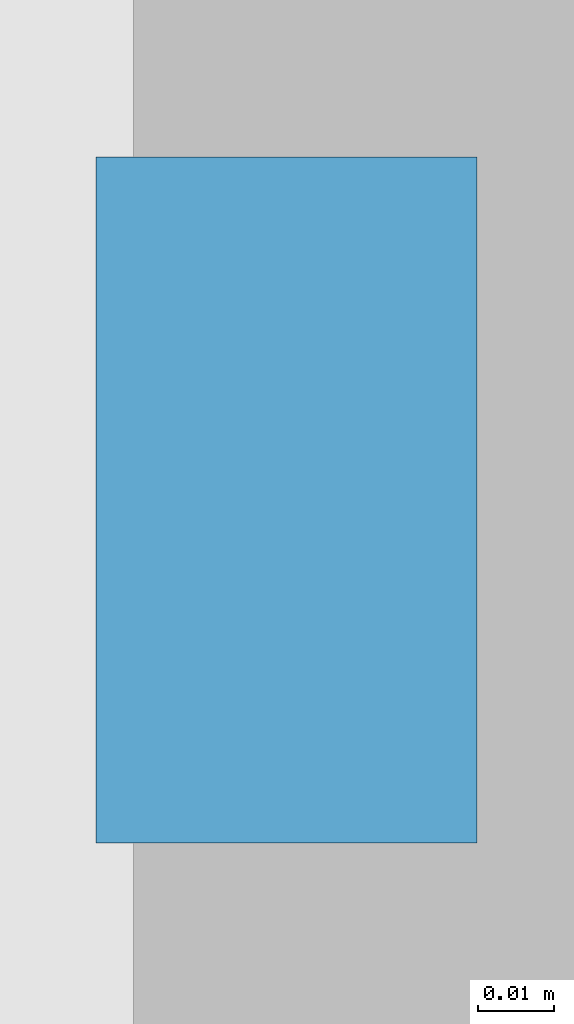
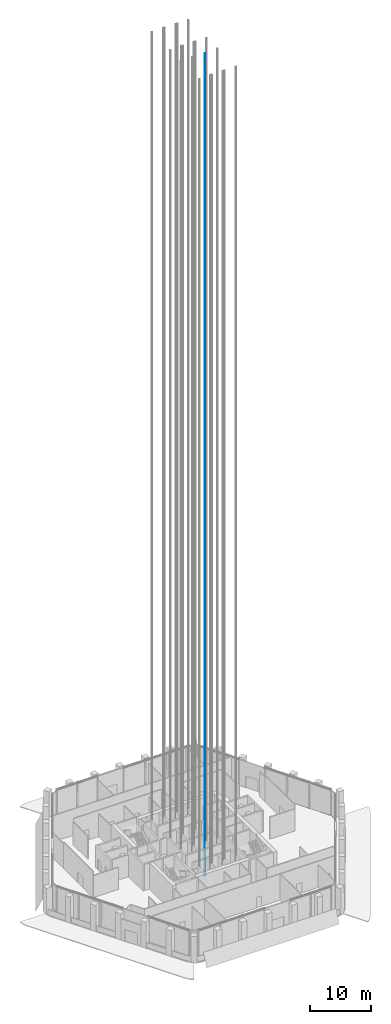
# One storey, part 24 of 42: 1 discrete accessory.
"""IFC4 building model written with IfcOpenShell, lengths in metres."""

from ifc_helpers import new_model, si_unit, direction, frame, origin, origin_2d, place, context, subcontext, project, spatial, rectangle, extrude, element, save


model = new_model("IFC4")

# Units and contexts
model_context = context("Model", 3, precision=1e-05, world=origin(), true_north=direction((0.0, 1.0)))
body_context = subcontext(model_context, "Body", "Model", "MODEL_VIEW")
ifc_project = project(units=[si_unit("LENGTHUNIT", "METRE"), si_unit("AREAUNIT", "SQUARE_METRE"), si_unit("VOLUMEUNIT", "CUBIC_METRE"), si_unit("PLANEANGLEUNIT", "RADIAN"), si_unit("MASSUNIT", "GRAM", prefix="KILO")], contexts=[model_context])

# Site, building, storey
site_placement = place(None, origin())
site = spatial("IfcSite", under=ifc_project, at=site_placement, CompositionType="ELEMENT")
building_placement = place(site_placement, origin())
building = spatial("IfcBuilding", under=site, at=building_placement, Name="Kolab Exchange Tower", CompositionType="ELEMENT")
storey_placement = place(building_placement, frame((0.0, 0.0, 133.39990234375)))
storey = spatial("IfcBuildingStorey", under=building, at=storey_placement, Name="L26", CompositionType="ELEMENT", Elevation=133.39990234375)

# Discrete accessory
discrete_accessory_placement = place(storey_placement, frame((1.070068359375, -1.800048828125, -1.599853515625), z_axis=(0.0, 0.0, 1.0), x_axis=(1.0, 0.0, 0.0)))
element("IfcDiscreteAccessory", 1, at=discrete_accessory_placement, inside=storey, Name="Guide rail HR8-2", ObjectType="GUIDE RAIL", PredefinedType="USERDEFINED", context=body_context, shape_type="SweptSolid", body=[
    extrude(rectangle(XDim=0.050048828125, YDim=0.090087890625, at=origin_2d()), origin(), (0.0, 0.0, 1.0), 165.60009765625),
])

save(model, "model.ifc")
